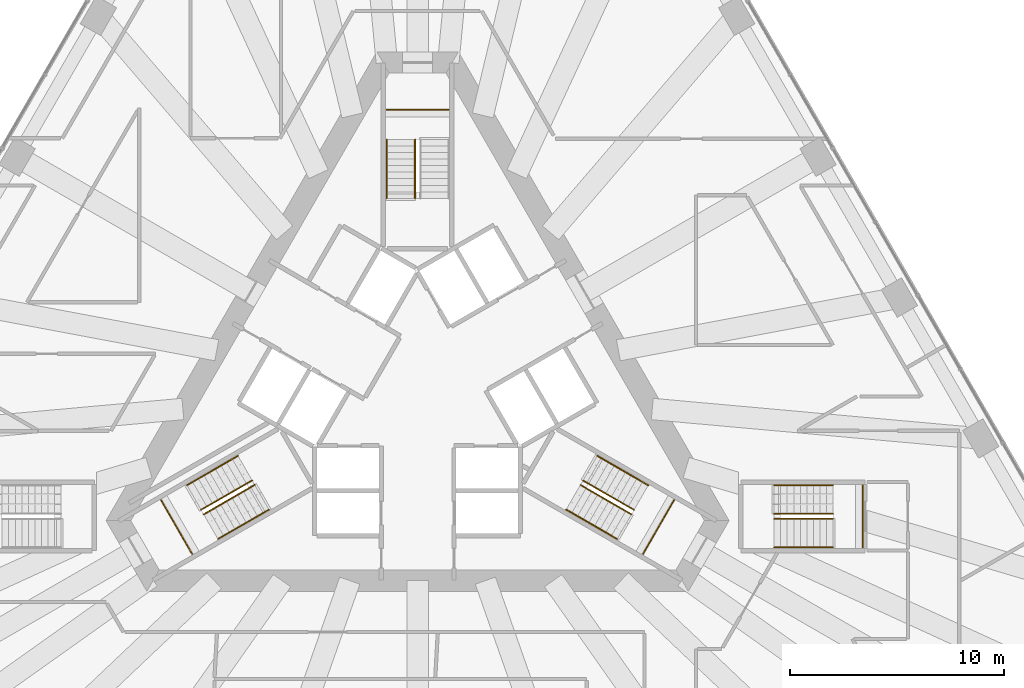
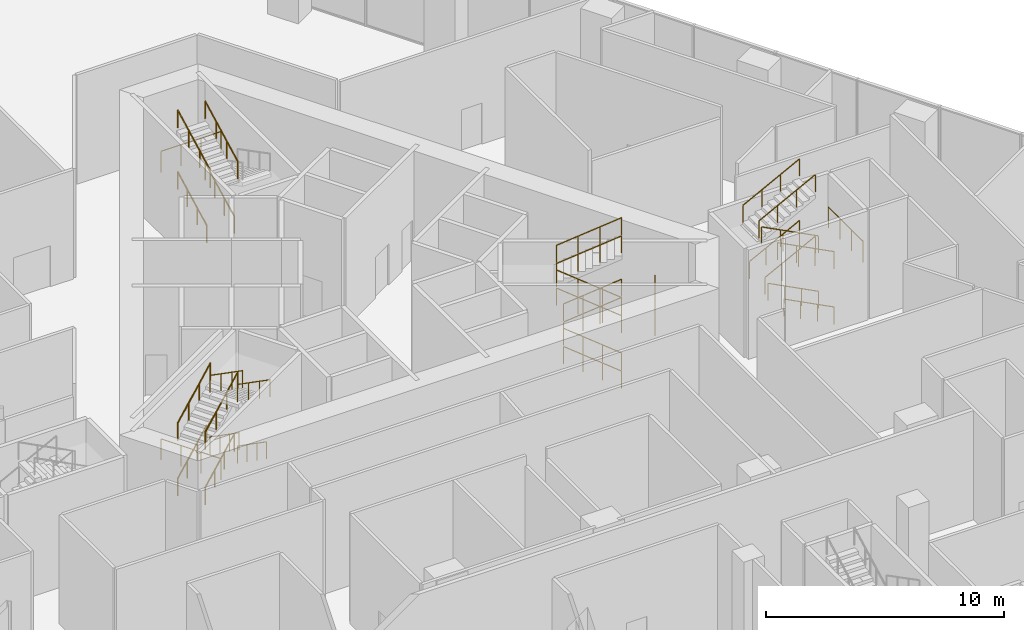
# One storey, part 35 of 36: 32 railings, 4 elements without a shape of their own.
"""IFC4 building model written with IfcOpenShell, lengths in metres."""

from ifc_helpers import new_model, si_unit, direction, frame, origin, origin_2d, place, context, subcontext, project, spatial, circle, extrude, material, type_object, element, aggregate, save


model = new_model("IFC4")

# Units and contexts
model_context = context("Model", 3, precision=1e-05, world=origin(), true_north=direction((0.0, 1.0)))
body_context = subcontext(model_context, "Body", "Model", "MODEL_VIEW")
ifc_project = project(units=[si_unit("LENGTHUNIT", "METRE"), si_unit("AREAUNIT", "SQUARE_METRE"), si_unit("VOLUMEUNIT", "CUBIC_METRE"), si_unit("PLANEANGLEUNIT", "RADIAN"), si_unit("MASSUNIT", "GRAM", prefix="KILO")], contexts=[model_context])

# Site, building, storey
site_placement = place(None, origin())
site = spatial("IfcSite", under=ifc_project, at=site_placement, CompositionType="ELEMENT")
building_placement = place(site_placement, origin())
building = spatial("IfcBuilding", under=site, at=building_placement, Name="Triada Interchange Tower", CompositionType="ELEMENT")
storey_placement = place(building_placement, frame((0.0, 0.0, 8.5)))
storey = spatial("IfcBuildingStorey", under=building, at=storey_placement, Name="L01", CompositionType="ELEMENT", Elevation=8.5)

# Stair, railing
ifc_material_1 = material(Name="Concrete C35/45", Category="concrete")
stair_type = type_object("IfcStairType", Name="HALF TURN STAIR 1400", PredefinedType="HALF_TURN_STAIR", material=ifc_material_1)
stair_1_placement = place(storey_placement, origin())
stair_1 = element("IfcStair", 1, at=stair_1_placement, inside=storey, type_object=stair_type, Name="Exit stair S01-1", PredefinedType="HALF_TURN_STAIR")
ifc_material_2 = material(Name="Stainless steel 1.4301", Category="steel")
railing_type_1 = type_object("IfcRailingType", Name="STAIR GUARD 1100", PredefinedType="GUARDRAIL", material=ifc_material_2)
railing_1_placement = place(storey_placement, frame((1.449951171875, 13.0, 2.842041015625)))
railing_1 = element("IfcRailing", 2, at=railing_1_placement, type_object=railing_type_1, Name="Guard S01-1 1", PredefinedType="GUARDRAIL", context=body_context, shape_type="SweptSolid", body=[
    extrude(circle(Radius=0.02392578125, at=origin_2d()), frame((0.0, 0.0, 1.076171875), z_axis=(-1.0, 0.0, 0.0), x_axis=(0.0, -1.0, 0.0)), (0.0, 0.0, 1.0), 2.89990234375),
    extrude(circle(Radius=0.02099609375, at=origin_2d()), origin(), (0.0, 0.0, 1.0), 1.052001953125),
    extrude(circle(Radius=0.02099609375, at=origin_2d()), frame((-0.966552734375, 0.0, 0.0)), (0.0, 0.0, 1.0), 1.052001953125),
    extrude(circle(Radius=0.02099609375, at=origin_2d()), frame((-1.933349609375, 0.0, 0.0)), (0.0, 0.0, 1.0), 1.052001953125),
    extrude(circle(Radius=0.02099609375, at=origin_2d()), frame((-2.89990234375, 0.0, 0.0)), (0.0, 0.0, 1.0), 1.052001953125),
])

stair_2_placement = place(storey_placement, origin())
stair_2 = element("IfcStair", 3, at=stair_2_placement, inside=storey, type_object=stair_type, Name="Exit stair S01-2", PredefinedType="HALF_TURN_STAIR")
railing_2_placement = place(storey_placement, frame((-11.98291015625, -5.243896484375, 2.842041015625)))
railing_2 = element("IfcRailing", 4, at=railing_2_placement, type_object=railing_type_1, Name="Guard S01-2 1", PredefinedType="GUARDRAIL", context=body_context, shape_type="SweptSolid", body=[
    extrude(circle(Radius=0.02392578125, at=origin_2d()), frame((0.0, 0.0, 1.076171875), z_axis=(0.499877891294, -0.866095891802, 0.0), x_axis=(0.866095891802, 0.499877891294, 0.0)), (0.0, 0.0, 1.0), 2.900634765625),
    extrude(circle(Radius=0.02099609375, at=origin_2d()), origin(), (0.0, 0.0, 1.0), 1.052001953125),
    extrude(circle(Radius=0.02099609375, at=origin_2d()), frame((0.4833984375, -0.83740234375, 0.0)), (0.0, 0.0, 1.0), 1.052001953125),
    extrude(circle(Radius=0.02099609375, at=origin_2d()), frame((0.966552734375, -1.6748046875, 0.0)), (0.0, 0.0, 1.0), 1.052001953125),
    extrude(circle(Radius=0.02099609375, at=origin_2d()), frame((1.449951171875, -2.51220703125, 0.0)), (0.0, 0.0, 1.0), 1.052001953125),
])

stair_3_placement = place(storey_placement, origin())
stair_3 = element("IfcStair", 5, at=stair_3_placement, inside=storey, type_object=stair_type, Name="Exit stair S01-3", PredefinedType="HALF_TURN_STAIR")
railing_3_placement = place(storey_placement, frame((10.532958984375, -7.756103515625, 2.842041015625)))
railing_3 = element("IfcRailing", 6, at=railing_3_placement, type_object=railing_type_1, Name="Guard S01-3 1", PredefinedType="GUARDRAIL", context=body_context, shape_type="SweptSolid", body=[
    extrude(circle(Radius=0.02392578125, at=origin_2d()), frame((0.0, 0.0, 1.076171875), z_axis=(0.499877891294, 0.866095891802, 0.0), x_axis=(-0.866095891802, 0.499877891294, 0.0)), (0.0, 0.0, 1.0), 2.900634765625),
    extrude(circle(Radius=0.02099609375, at=origin_2d()), origin(), (0.0, 0.0, 1.0), 1.052001953125),
    extrude(circle(Radius=0.02099609375, at=origin_2d()), frame((0.4833984375, 0.83740234375, 0.0)), (0.0, 0.0, 1.0), 1.052001953125),
    extrude(circle(Radius=0.02099609375, at=origin_2d()), frame((0.966552734375, 1.6748046875, 0.0)), (0.0, 0.0, 1.0), 1.052001953125),
    extrude(circle(Radius=0.02099609375, at=origin_2d()), frame((1.449951171875, 2.51220703125, 0.0)), (0.0, 0.0, 1.0), 1.052001953125),
])

stair_4_placement = place(storey_placement, origin())
stair_4 = element("IfcStair", 7, at=stair_4_placement, inside=storey, type_object=stair_type, Name="Exit stair S01-7", PredefinedType="HALF_TURN_STAIR")
railing_4_placement = place(storey_placement, frame((20.800048828125, -7.449951171875, 2.842041015625)))
railing_4 = element("IfcRailing", 8, at=railing_4_placement, type_object=railing_type_1, Name="Guard S01-7 1", PredefinedType="GUARDRAIL", context=body_context, shape_type="SweptSolid", body=[
    extrude(circle(Radius=0.02392578125, at=origin_2d()), frame((0.0, 0.0, 1.076171875), z_axis=(0.0, 1.0, 0.0), x_axis=(-1.0, 0.0, 0.0)), (0.0, 0.0, 1.0), 2.89990234375),
    extrude(circle(Radius=0.02099609375, at=origin_2d()), origin(), (0.0, 0.0, 1.0), 1.052001953125),
    extrude(circle(Radius=0.02099609375, at=origin_2d()), frame((0.0, 0.966552734375, 0.0)), (0.0, 0.0, 1.0), 1.052001953125),
    extrude(circle(Radius=0.02099609375, at=origin_2d()), frame((0.0, 1.933349609375, 0.0)), (0.0, 0.0, 1.0), 1.052001953125),
    extrude(circle(Radius=0.02099609375, at=origin_2d()), frame((0.0, 2.89990234375, 0.0)), (0.0, 0.0, 1.0), 1.052001953125),
])

# Railing
railing_type_2 = type_object("IfcRailingType", Name="STAIR HANDRAIL 900", PredefinedType="HANDRAIL", material=ifc_material_2)
railing_5_placement = place(storey_placement, frame((-1.449951171875, 9.159912109375, 1.578857421875)))
railing_5 = element("IfcRailing", 9, at=railing_5_placement, type_object=railing_type_2, Name="Handrail S01-1 2W", PredefinedType="HANDRAIL", context=body_context, shape_type="SweptSolid", body=[
    extrude(circle(Radius=0.02392578125, at=origin_2d()), frame((0.0, 0.0, 0.8759765625), z_axis=(0.0, 0.888066314826, 0.459715368975), x_axis=(-1.0, 0.0, 0.0)), (0.0, 0.0, 1.0), 2.747802734375),
    extrude(circle(Radius=0.02099609375, at=origin_2d()), origin(), (0.0, 0.0, 1.0), 0.851806640625),
    extrude(circle(Radius=0.02099609375, at=origin_2d()), frame((0.0, 0.8134765625, 0.421142578125)), (0.0, 0.0, 1.0), 0.851806640625),
    extrude(circle(Radius=0.02099609375, at=origin_2d()), frame((0.0, 1.626708984375, 0.842041015625)), (0.0, 0.0, 1.0), 0.851806640625),
    extrude(circle(Radius=0.02099609375, at=origin_2d()), frame((0.0, 2.440185546875, 1.26318359375)), (0.0, 0.0, 1.0), 0.851806640625),
])

railing_6_placement = place(storey_placement, frame((-0.1201171875, 9.159912109375, 1.578857421875)))
railing_6 = element("IfcRailing", 10, at=railing_6_placement, type_object=railing_type_2, Name="Handrail S01-1 2C", PredefinedType="HANDRAIL", context=body_context, shape_type="SweptSolid", body=[
    extrude(circle(Radius=0.02392578125, at=origin_2d()), frame((0.0, 0.0, 0.8759765625), z_axis=(0.0, 0.888066314826, 0.459715368975), x_axis=(-1.0, 0.0, 0.0)), (0.0, 0.0, 1.0), 2.747802734375),
    extrude(circle(Radius=0.02099609375, at=origin_2d()), origin(), (0.0, 0.0, 1.0), 0.851806640625),
    extrude(circle(Radius=0.02099609375, at=origin_2d()), frame((0.0, 0.8134765625, 0.421142578125)), (0.0, 0.0, 1.0), 0.851806640625),
    extrude(circle(Radius=0.02099609375, at=origin_2d()), frame((0.0, 1.626708984375, 0.842041015625)), (0.0, 0.0, 1.0), 0.851806640625),
    extrude(circle(Radius=0.02099609375, at=origin_2d()), frame((0.0, 2.440185546875, 1.26318359375)), (0.0, 0.0, 1.0), 0.851806640625),
])

railing_7_placement = place(storey_placement, frame((-1.449951171875, 8.85498046875, 4.578857421875)))
railing_7 = element("IfcRailing", 11, at=railing_7_placement, type_object=railing_type_2, Name="Handrail S01-1 4W", PredefinedType="HANDRAIL", context=body_context, shape_type="SweptSolid", body=[
    extrude(circle(Radius=0.02392578125, at=origin_2d()), frame((0.0, 0.0, 0.8759765625), z_axis=(0.0, 0.888084238656, 0.459680742527), x_axis=(-1.0, 0.0, 0.0)), (0.0, 0.0, 1.0), 3.091064453125),
    extrude(circle(Radius=0.02099609375, at=origin_2d()), origin(), (0.0, 0.0, 1.0), 0.851806640625),
    extrude(circle(Radius=0.02099609375, at=origin_2d()), frame((0.0, 0.9150390625, 0.4736328125)), (0.0, 0.0, 1.0), 0.851806640625),
    extrude(circle(Radius=0.02099609375, at=origin_2d()), frame((0.0, 1.830078125, 0.947265625)), (0.0, 0.0, 1.0), 0.851806640625),
    extrude(circle(Radius=0.02099609375, at=origin_2d()), frame((0.0, 2.7451171875, 1.4208984375)), (0.0, 0.0, 1.0), 0.851806640625),
])

railing_8_placement = place(storey_placement, frame((-0.1201171875, 8.85498046875, 4.578857421875)))
railing_8 = element("IfcRailing", 12, at=railing_8_placement, type_object=railing_type_2, Name="Handrail S01-1 4C", PredefinedType="HANDRAIL", context=body_context, shape_type="SweptSolid", body=[
    extrude(circle(Radius=0.02392578125, at=origin_2d()), frame((0.0, 0.0, 0.8759765625), z_axis=(0.0, 0.888084238656, 0.459680742527), x_axis=(-1.0, 0.0, 0.0)), (0.0, 0.0, 1.0), 3.091064453125),
    extrude(circle(Radius=0.02099609375, at=origin_2d()), origin(), (0.0, 0.0, 1.0), 0.851806640625),
    extrude(circle(Radius=0.02099609375, at=origin_2d()), frame((0.0, 0.9150390625, 0.4736328125)), (0.0, 0.0, 1.0), 0.851806640625),
    extrude(circle(Radius=0.02099609375, at=origin_2d()), frame((0.0, 1.830078125, 0.947265625)), (0.0, 0.0, 1.0), 0.851806640625),
    extrude(circle(Radius=0.02099609375, at=origin_2d()), frame((0.0, 2.7451171875, 1.4208984375)), (0.0, 0.0, 1.0), 0.851806640625),
])

aggregate(stair_1, [railing_5, railing_6, railing_7, railing_8, railing_1])

railing_9_placement = place(storey_placement, frame((-10.77099609375, -4.5439453125, 0.157958984375)))
railing_9 = element("IfcRailing", 13, at=railing_9_placement, type_object=railing_type_2, Name="Handrail S01-2 1W", PredefinedType="HANDRAIL", context=body_context, shape_type="SweptSolid", body=[
    extrude(circle(Radius=0.02392578125, at=origin_2d()), frame((0.0, 0.0, 0.8759765625), z_axis=(0.769101041409, 0.444043663076, 0.459683383848), x_axis=(-0.500002508028, 0.866023955769, 0.0)), (0.0, 0.0, 1.0), 2.747314453125),
    extrude(circle(Radius=0.02099609375, at=origin_2d()), origin(), (0.0, 0.0, 1.0), 0.851806640625),
    extrude(circle(Radius=0.02099609375, at=origin_2d()), frame((0.704345703125, 0.40673828125, 0.4208984375)), (0.0, 0.0, 1.0), 0.851806640625),
    extrude(circle(Radius=0.02099609375, at=origin_2d()), frame((1.40869140625, 0.813232421875, 0.842041015625)), (0.0, 0.0, 1.0), 0.851806640625),
    extrude(circle(Radius=0.02099609375, at=origin_2d()), frame((2.113037109375, 1.219970703125, 1.262939453125)), (0.0, 0.0, 1.0), 0.851806640625),
])

railing_10_placement = place(storey_placement, frame((-10.10595703125, -5.696044921875, 0.157958984375)))
railing_10 = element("IfcRailing", 14, at=railing_10_placement, type_object=railing_type_2, Name="Handrail S01-2 1C", PredefinedType="HANDRAIL", context=body_context, shape_type="SweptSolid", body=[
    extrude(circle(Radius=0.02392578125, at=origin_2d()), frame((0.0, 0.0, 0.8759765625), z_axis=(0.769101041409, 0.444043663076, 0.459683383848), x_axis=(-0.500002508028, 0.866023955769, 0.0)), (0.0, 0.0, 1.0), 2.747314453125),
    extrude(circle(Radius=0.02099609375, at=origin_2d()), origin(), (0.0, 0.0, 1.0), 0.851806640625),
    extrude(circle(Radius=0.02099609375, at=origin_2d()), frame((0.704345703125, 0.40673828125, 0.4208984375)), (0.0, 0.0, 1.0), 0.851806640625),
    extrude(circle(Radius=0.02099609375, at=origin_2d()), frame((1.40869140625, 0.813232421875, 0.842041015625)), (0.0, 0.0, 1.0), 0.851806640625),
    extrude(circle(Radius=0.02099609375, at=origin_2d()), frame((2.113037109375, 1.219970703125, 1.262939453125)), (0.0, 0.0, 1.0), 0.851806640625),
])

railing_11_placement = place(storey_placement, frame((-7.2080078125, -5.8359375, 1.578857421875)))
railing_11 = element("IfcRailing", 15, at=railing_11_placement, type_object=railing_type_2, Name="Handrail S01-2 2W", PredefinedType="HANDRAIL", context=body_context, shape_type="SweptSolid", body=[
    extrude(circle(Radius=0.02392578125, at=origin_2d()), frame((0.0, 0.0, 0.8759765625), z_axis=(-0.769069623744, -0.444025523957, 0.45975346427), x_axis=(0.500002508028, -0.866023955769, 0.0)), (0.0, 0.0, 1.0), 2.74755859375),
    extrude(circle(Radius=0.02099609375, at=origin_2d()), origin(), (0.0, 0.0, 1.0), 0.851806640625),
    extrude(circle(Radius=0.02099609375, at=origin_2d()), frame((-0.704345703125, -0.40673828125, 0.421142578125)), (0.0, 0.0, 1.0), 0.851806640625),
    extrude(circle(Radius=0.02099609375, at=origin_2d()), frame((-1.40869140625, -0.813232421875, 0.842041015625)), (0.0, 0.0, 1.0), 0.851806640625),
    extrude(circle(Radius=0.02099609375, at=origin_2d()), frame((-2.113037109375, -1.219970703125, 1.26318359375)), (0.0, 0.0, 1.0), 0.851806640625),
])

railing_12_placement = place(storey_placement, frame((-7.873046875, -4.68408203125, 1.578857421875)))
railing_12 = element("IfcRailing", 16, at=railing_12_placement, type_object=railing_type_2, Name="Handrail S01-2 2C", PredefinedType="HANDRAIL", context=body_context, shape_type="SweptSolid", body=[
    extrude(circle(Radius=0.02392578125, at=origin_2d()), frame((0.0, 0.0, 0.8759765625), z_axis=(-0.769069623744, -0.444025523957, 0.45975346427), x_axis=(0.500002508028, -0.866023955769, 0.0)), (0.0, 0.0, 1.0), 2.74755859375),
    extrude(circle(Radius=0.02099609375, at=origin_2d()), origin(), (0.0, 0.0, 1.0), 0.851806640625),
    extrude(circle(Radius=0.02099609375, at=origin_2d()), frame((-0.704345703125, -0.40673828125, 0.421142578125)), (0.0, 0.0, 1.0), 0.851806640625),
    extrude(circle(Radius=0.02099609375, at=origin_2d()), frame((-1.40869140625, -0.813232421875, 0.842041015625)), (0.0, 0.0, 1.0), 0.851806640625),
    extrude(circle(Radius=0.02099609375, at=origin_2d()), frame((-2.113037109375, -1.219970703125, 1.26318359375)), (0.0, 0.0, 1.0), 0.851806640625),
])

railing_13_placement = place(storey_placement, frame((-10.77099609375, -4.5439453125, 3.0)))
railing_13 = element("IfcRailing", 17, at=railing_13_placement, type_object=railing_type_2, Name="Handrail S01-2 3W", PredefinedType="HANDRAIL", context=body_context, shape_type="SweptSolid", body=[
    extrude(circle(Radius=0.02392578125, at=origin_2d()), frame((0.0, 0.0, 0.8759765625), z_axis=(0.769133140326, 0.443894732487, 0.459773508288), x_axis=(-0.49986106923, 0.866105600645, 0.0)), (0.0, 0.0, 1.0), 3.09033203125),
    extrude(circle(Radius=0.02099609375, at=origin_2d()), origin(), (0.0, 0.0, 1.0), 0.851806640625),
    extrude(circle(Radius=0.02099609375, at=origin_2d()), frame((0.792236328125, 0.457275390625, 0.4736328125)), (0.0, 0.0, 1.0), 0.851806640625),
    extrude(circle(Radius=0.02099609375, at=origin_2d()), frame((1.584716796875, 0.91455078125, 0.947265625)), (0.0, 0.0, 1.0), 0.851806640625),
    extrude(circle(Radius=0.02099609375, at=origin_2d()), frame((2.376953125, 1.371826171875, 1.4208984375)), (0.0, 0.0, 1.0), 0.851806640625),
])

railing_14_placement = place(storey_placement, frame((-10.10595703125, -5.696044921875, 3.0)))
railing_14 = element("IfcRailing", 18, at=railing_14_placement, type_object=railing_type_2, Name="Handrail S01-2 3C", PredefinedType="HANDRAIL", context=body_context, shape_type="SweptSolid", body=[
    extrude(circle(Radius=0.02392578125, at=origin_2d()), frame((0.0, 0.0, 0.8759765625), z_axis=(0.768998259129, 0.444211812792, 0.459692878814), x_axis=(-0.500194616298, 0.865913012852, 0.0)), (0.0, 0.0, 1.0), 3.091064453125),
    extrude(circle(Radius=0.02099609375, at=origin_2d()), origin(), (0.0, 0.0, 1.0), 0.851806640625),
    extrude(circle(Radius=0.02099609375, at=origin_2d()), frame((0.792236328125, 0.457763671875, 0.4736328125)), (0.0, 0.0, 1.0), 0.851806640625),
    extrude(circle(Radius=0.02099609375, at=origin_2d()), frame((1.584716796875, 0.915283203125, 0.947265625)), (0.0, 0.0, 1.0), 0.851806640625),
    extrude(circle(Radius=0.02099609375, at=origin_2d()), frame((2.376953125, 1.373046875, 1.4208984375)), (0.0, 0.0, 1.0), 0.851806640625),
])

railing_15_placement = place(storey_placement, frame((-6.944091796875, -5.68310546875, 4.578857421875)))
railing_15 = element("IfcRailing", 19, at=railing_15_placement, type_object=railing_type_2, Name="Handrail S01-2 4W", PredefinedType="HANDRAIL", context=body_context, shape_type="SweptSolid", body=[
    extrude(circle(Radius=0.02392578125, at=origin_2d()), frame((0.0, 0.0, 0.8759765625), z_axis=(-0.769133140326, -0.443894732487, 0.459773508288), x_axis=(0.49986106923, -0.866105600645, 0.0)), (0.0, 0.0, 1.0), 3.09033203125),
    extrude(circle(Radius=0.02099609375, at=origin_2d()), origin(), (0.0, 0.0, 1.0), 0.851806640625),
    extrude(circle(Radius=0.02099609375, at=origin_2d()), frame((-0.792236328125, -0.457275390625, 0.4736328125)), (0.0, 0.0, 1.0), 0.851806640625),
    extrude(circle(Radius=0.02099609375, at=origin_2d()), frame((-1.584716796875, -0.91455078125, 0.947265625)), (0.0, 0.0, 1.0), 0.851806640625),
    extrude(circle(Radius=0.02099609375, at=origin_2d()), frame((-2.376953125, -1.371826171875, 1.4208984375)), (0.0, 0.0, 1.0), 0.851806640625),
])

railing_16_placement = place(storey_placement, frame((-7.60888671875, -4.531005859375, 4.578857421875)))
railing_16 = element("IfcRailing", 20, at=railing_16_placement, type_object=railing_type_2, Name="Handrail S01-2 4C", PredefinedType="HANDRAIL", context=body_context, shape_type="SweptSolid", body=[
    extrude(circle(Radius=0.02392578125, at=origin_2d()), frame((0.0, 0.0, 0.8759765625), z_axis=(-0.769030532764, -0.444184832727, 0.459664958477), x_axis=(0.500156096934, -0.865935262419, 0.0)), (0.0, 0.0, 1.0), 3.091064453125),
    extrude(circle(Radius=0.02099609375, at=origin_2d()), origin(), (0.0, 0.0, 1.0), 0.851806640625),
    extrude(circle(Radius=0.02099609375, at=origin_2d()), frame((-0.79248046875, -0.457763671875, 0.4736328125)), (0.0, 0.0, 1.0), 0.851806640625),
    extrude(circle(Radius=0.02099609375, at=origin_2d()), frame((-1.584716796875, -0.915283203125, 0.947265625)), (0.0, 0.0, 1.0), 0.851806640625),
    extrude(circle(Radius=0.02099609375, at=origin_2d()), frame((-2.377197265625, -1.373046875, 1.4208984375)), (0.0, 0.0, 1.0), 0.851806640625),
])

aggregate(stair_2, [railing_9, railing_10, railing_11, railing_12, railing_13, railing_14, railing_15, railing_16, railing_2])

railing_17_placement = place(storey_placement, frame((9.321044921875, -7.055908203125, 0.157958984375)))
railing_17 = element("IfcRailing", 21, at=railing_17_placement, type_object=railing_type_2, Name="Handrail S01-3 1W", PredefinedType="HANDRAIL", context=body_context, shape_type="SweptSolid", body=[
    extrude(circle(Radius=0.02392578125, at=origin_2d()), frame((0.0, 0.0, 0.8759765625), z_axis=(-0.769101041409, 0.444043663076, 0.459683383848), x_axis=(-0.500002508028, -0.866023955769, 0.0)), (0.0, 0.0, 1.0), 2.747314453125),
    extrude(circle(Radius=0.02099609375, at=origin_2d()), origin(), (0.0, 0.0, 1.0), 0.851806640625),
    extrude(circle(Radius=0.02099609375, at=origin_2d()), frame((-0.704345703125, 0.40673828125, 0.4208984375)), (0.0, 0.0, 1.0), 0.851806640625),
    extrude(circle(Radius=0.02099609375, at=origin_2d()), frame((-1.40869140625, 0.813232421875, 0.842041015625)), (0.0, 0.0, 1.0), 0.851806640625),
    extrude(circle(Radius=0.02099609375, at=origin_2d()), frame((-2.113037109375, 1.219970703125, 1.262939453125)), (0.0, 0.0, 1.0), 0.851806640625),
])

railing_18_placement = place(storey_placement, frame((9.986083984375, -5.904052734375, 0.157958984375)))
railing_18 = element("IfcRailing", 22, at=railing_18_placement, type_object=railing_type_2, Name="Handrail S01-3 1C", PredefinedType="HANDRAIL", context=body_context, shape_type="SweptSolid", body=[
    extrude(circle(Radius=0.02392578125, at=origin_2d()), frame((0.0, 0.0, 0.8759765625), z_axis=(-0.769101041409, 0.444043663076, 0.459683383848), x_axis=(-0.500002508028, -0.866023955769, 0.0)), (0.0, 0.0, 1.0), 2.747314453125),
    extrude(circle(Radius=0.02099609375, at=origin_2d()), origin(), (0.0, 0.0, 1.0), 0.851806640625),
    extrude(circle(Radius=0.02099609375, at=origin_2d()), frame((-0.704345703125, 0.40673828125, 0.4208984375)), (0.0, 0.0, 1.0), 0.851806640625),
    extrude(circle(Radius=0.02099609375, at=origin_2d()), frame((-1.40869140625, 0.813232421875, 0.842041015625)), (0.0, 0.0, 1.0), 0.851806640625),
    extrude(circle(Radius=0.02099609375, at=origin_2d()), frame((-2.113037109375, 1.219970703125, 1.262939453125)), (0.0, 0.0, 1.0), 0.851806640625),
])

railing_19_placement = place(storey_placement, frame((8.657958984375, -3.323974609375, 1.578857421875)))
railing_19 = element("IfcRailing", 23, at=railing_19_placement, type_object=railing_type_2, Name="Handrail S01-3 2W", PredefinedType="HANDRAIL", context=body_context, shape_type="SweptSolid", body=[
    extrude(circle(Radius=0.02392578125, at=origin_2d()), frame((0.0, 0.0, 0.8759765625), z_axis=(0.769069623744, -0.444025523957, 0.45975346427), x_axis=(0.500002508028, 0.866023955769, 0.0)), (0.0, 0.0, 1.0), 2.74755859375),
    extrude(circle(Radius=0.02099609375, at=origin_2d()), origin(), (0.0, 0.0, 1.0), 0.851806640625),
    extrude(circle(Radius=0.02099609375, at=origin_2d()), frame((0.704345703125, -0.40673828125, 0.421142578125)), (0.0, 0.0, 1.0), 0.851806640625),
    extrude(circle(Radius=0.02099609375, at=origin_2d()), frame((1.40869140625, -0.813232421875, 0.842041015625)), (0.0, 0.0, 1.0), 0.851806640625),
    extrude(circle(Radius=0.02099609375, at=origin_2d()), frame((2.113037109375, -1.219970703125, 1.26318359375)), (0.0, 0.0, 1.0), 0.851806640625),
])

railing_20_placement = place(storey_placement, frame((7.992919921875, -4.47607421875, 1.578857421875)))
railing_20 = element("IfcRailing", 24, at=railing_20_placement, type_object=railing_type_2, Name="Handrail S01-3 2C", PredefinedType="HANDRAIL", context=body_context, shape_type="SweptSolid", body=[
    extrude(circle(Radius=0.02392578125, at=origin_2d()), frame((0.0, 0.0, 0.8759765625), z_axis=(0.769069623744, -0.444025523957, 0.45975346427), x_axis=(0.500002508028, 0.866023955769, 0.0)), (0.0, 0.0, 1.0), 2.74755859375),
    extrude(circle(Radius=0.02099609375, at=origin_2d()), origin(), (0.0, 0.0, 1.0), 0.851806640625),
    extrude(circle(Radius=0.02099609375, at=origin_2d()), frame((0.704345703125, -0.40673828125, 0.421142578125)), (0.0, 0.0, 1.0), 0.851806640625),
    extrude(circle(Radius=0.02099609375, at=origin_2d()), frame((1.40869140625, -0.813232421875, 0.842041015625)), (0.0, 0.0, 1.0), 0.851806640625),
    extrude(circle(Radius=0.02099609375, at=origin_2d()), frame((2.113037109375, -1.219970703125, 1.26318359375)), (0.0, 0.0, 1.0), 0.851806640625),
])

railing_21_placement = place(storey_placement, frame((9.321044921875, -7.055908203125, 3.0)))
railing_21 = element("IfcRailing", 25, at=railing_21_placement, type_object=railing_type_2, Name="Handrail S01-3 3W", PredefinedType="HANDRAIL", context=body_context, shape_type="SweptSolid", body=[
    extrude(circle(Radius=0.02392578125, at=origin_2d()), frame((0.0, 0.0, 0.8759765625), z_axis=(-0.769025239288, 0.444148410077, 0.459709007052), x_axis=(-0.500127924686, -0.865951533834, 0.0)), (0.0, 0.0, 1.0), 3.0908203125),
    extrude(circle(Radius=0.02099609375, at=origin_2d()), origin(), (0.0, 0.0, 1.0), 0.851806640625),
    extrude(circle(Radius=0.02099609375, at=origin_2d()), frame((-0.792236328125, 0.45751953125, 0.4736328125)), (0.0, 0.0, 1.0), 0.851806640625),
    extrude(circle(Radius=0.02099609375, at=origin_2d()), frame((-1.584716796875, 0.915283203125, 0.947265625)), (0.0, 0.0, 1.0), 0.851806640625),
    extrude(circle(Radius=0.02099609375, at=origin_2d()), frame((-2.376953125, 1.372802734375, 1.4208984375)), (0.0, 0.0, 1.0), 0.851806640625),
])

railing_22_placement = place(storey_placement, frame((9.986083984375, -5.904052734375, 3.0)))
railing_22 = element("IfcRailing", 26, at=railing_22_placement, type_object=railing_type_2, Name="Handrail S01-3 3C", PredefinedType="HANDRAIL", context=body_context, shape_type="SweptSolid", body=[
    extrude(circle(Radius=0.02392578125, at=origin_2d()), frame((0.0, 0.0, 0.8759765625), z_axis=(-0.76913843306, 0.443931189668, 0.459729452646), x_axis=(-0.499889283929, -0.866089316302, 0.0)), (0.0, 0.0, 1.0), 3.0908203125),
    extrude(circle(Radius=0.02099609375, at=origin_2d()), origin(), (0.0, 0.0, 1.0), 0.851806640625),
    extrude(circle(Radius=0.02099609375, at=origin_2d()), frame((-0.79248046875, 0.457275390625, 0.4736328125)), (0.0, 0.0, 1.0), 0.851806640625),
    extrude(circle(Radius=0.02099609375, at=origin_2d()), frame((-1.584716796875, 0.914794921875, 0.947265625)), (0.0, 0.0, 1.0), 0.851806640625),
    extrude(circle(Radius=0.02099609375, at=origin_2d()), frame((-2.377197265625, 1.3720703125, 1.4208984375)), (0.0, 0.0, 1.0), 0.851806640625),
])

railing_23_placement = place(storey_placement, frame((8.39404296875, -3.172119140625, 4.578857421875)))
railing_23 = element("IfcRailing", 27, at=railing_23_placement, type_object=railing_type_2, Name="Handrail S01-3 4W", PredefinedType="HANDRAIL", context=body_context, shape_type="SweptSolid", body=[
    extrude(circle(Radius=0.02392578125, at=origin_2d()), frame((0.0, 0.0, 0.8759765625), z_axis=(0.769025239288, -0.444148410077, 0.459709007052), x_axis=(0.500127924686, 0.865951533834, 0.0)), (0.0, 0.0, 1.0), 3.0908203125),
    extrude(circle(Radius=0.02099609375, at=origin_2d()), origin(), (0.0, 0.0, 1.0), 0.851806640625),
    extrude(circle(Radius=0.02099609375, at=origin_2d()), frame((0.792236328125, -0.45751953125, 0.4736328125)), (0.0, 0.0, 1.0), 0.851806640625),
    extrude(circle(Radius=0.02099609375, at=origin_2d()), frame((1.584716796875, -0.915283203125, 0.947265625)), (0.0, 0.0, 1.0), 0.851806640625),
    extrude(circle(Radius=0.02099609375, at=origin_2d()), frame((2.376953125, -1.372802734375, 1.4208984375)), (0.0, 0.0, 1.0), 0.851806640625),
])

railing_24_placement = place(storey_placement, frame((7.72900390625, -4.323974609375, 4.578857421875)))
railing_24 = element("IfcRailing", 28, at=railing_24_placement, type_object=railing_type_2, Name="Handrail S01-3 4C", PredefinedType="HANDRAIL", context=body_context, shape_type="SweptSolid", body=[
    extrude(circle(Radius=0.02392578125, at=origin_2d()), frame((0.0, 0.0, 0.8759765625), z_axis=(0.769106168007, -0.443958161894, 0.459757384737), x_axis=(0.499927796446, 0.866067086513, 0.0)), (0.0, 0.0, 1.0), 3.090576171875),
    extrude(circle(Radius=0.02099609375, at=origin_2d()), origin(), (0.0, 0.0, 1.0), 0.851806640625),
    extrude(circle(Radius=0.02099609375, at=origin_2d()), frame((0.792236328125, -0.457275390625, 0.4736328125)), (0.0, 0.0, 1.0), 0.851806640625),
    extrude(circle(Radius=0.02099609375, at=origin_2d()), frame((1.584716796875, -0.914794921875, 0.947265625)), (0.0, 0.0, 1.0), 0.851806640625),
    extrude(circle(Radius=0.02099609375, at=origin_2d()), frame((2.376953125, -1.3720703125, 1.4208984375)), (0.0, 0.0, 1.0), 0.851806640625),
])

aggregate(stair_3, [railing_17, railing_18, railing_19, railing_20, railing_21, railing_22, railing_23, railing_24, railing_3])

railing_25_placement = place(storey_placement, frame((19.39990234375, -7.449951171875, 0.157958984375)))
railing_25 = element("IfcRailing", 29, at=railing_25_placement, type_object=railing_type_2, Name="Handrail S01-7 1W", PredefinedType="HANDRAIL", context=body_context, shape_type="SweptSolid", body=[
    extrude(circle(Radius=0.02392578125, at=origin_2d()), frame((0.0, 0.0, 0.8759765625), z_axis=(-0.888083812785, 0.0, 0.459681565293), x_axis=(0.0, -1.0, 0.0)), (0.0, 0.0, 1.0), 2.747314453125),
    extrude(circle(Radius=0.02099609375, at=origin_2d()), origin(), (0.0, 0.0, 1.0), 0.851806640625),
    extrude(circle(Radius=0.02099609375, at=origin_2d()), frame((-0.813232421875, 0.0, 0.4208984375)), (0.0, 0.0, 1.0), 0.851806640625),
    extrude(circle(Radius=0.02099609375, at=origin_2d()), frame((-1.626708984375, 0.0, 0.842041015625)), (0.0, 0.0, 1.0), 0.851806640625),
    extrude(circle(Radius=0.02099609375, at=origin_2d()), frame((-2.43994140625, 0.0, 1.262939453125)), (0.0, 0.0, 1.0), 0.851806640625),
])

railing_26_placement = place(storey_placement, frame((19.39990234375, -6.1201171875, 0.157958984375)))
railing_26 = element("IfcRailing", 30, at=railing_26_placement, type_object=railing_type_2, Name="Handrail S01-7 1C", PredefinedType="HANDRAIL", context=body_context, shape_type="SweptSolid", body=[
    extrude(circle(Radius=0.02392578125, at=origin_2d()), frame((0.0, 0.0, 0.8759765625), z_axis=(-0.888083812785, 0.0, 0.459681565293), x_axis=(0.0, -1.0, 0.0)), (0.0, 0.0, 1.0), 2.747314453125),
    extrude(circle(Radius=0.02099609375, at=origin_2d()), origin(), (0.0, 0.0, 1.0), 0.851806640625),
    extrude(circle(Radius=0.02099609375, at=origin_2d()), frame((-0.813232421875, 0.0, 0.4208984375)), (0.0, 0.0, 1.0), 0.851806640625),
    extrude(circle(Radius=0.02099609375, at=origin_2d()), frame((-1.626708984375, 0.0, 0.842041015625)), (0.0, 0.0, 1.0), 0.851806640625),
    extrude(circle(Radius=0.02099609375, at=origin_2d()), frame((-2.43994140625, 0.0, 1.262939453125)), (0.0, 0.0, 1.0), 0.851806640625),
])

railing_27_placement = place(storey_placement, frame((16.9599609375, -4.550048828125, 1.578857421875)))
railing_27 = element("IfcRailing", 31, at=railing_27_placement, type_object=railing_type_2, Name="Handrail S01-7 2W", PredefinedType="HANDRAIL", context=body_context, shape_type="SweptSolid", body=[
    extrude(circle(Radius=0.02392578125, at=origin_2d()), frame((0.0, 0.0, 0.8759765625), z_axis=(0.888047534979, 0.0, 0.459751645585), x_axis=(0.0, 1.0, 0.0)), (0.0, 0.0, 1.0), 2.74755859375),
    extrude(circle(Radius=0.02099609375, at=origin_2d()), origin(), (0.0, 0.0, 1.0), 0.851806640625),
    extrude(circle(Radius=0.02099609375, at=origin_2d()), frame((0.813232421875, 0.0, 0.421142578125)), (0.0, 0.0, 1.0), 0.851806640625),
    extrude(circle(Radius=0.02099609375, at=origin_2d()), frame((1.626708984375, 0.0, 0.842041015625)), (0.0, 0.0, 1.0), 0.851806640625),
    extrude(circle(Radius=0.02099609375, at=origin_2d()), frame((2.43994140625, 0.0, 1.26318359375)), (0.0, 0.0, 1.0), 0.851806640625),
])

railing_28_placement = place(storey_placement, frame((16.9599609375, -5.8798828125, 1.578857421875)))
railing_28 = element("IfcRailing", 32, at=railing_28_placement, type_object=railing_type_2, Name="Handrail S01-7 2C", PredefinedType="HANDRAIL", context=body_context, shape_type="SweptSolid", body=[
    extrude(circle(Radius=0.02392578125, at=origin_2d()), frame((0.0, 0.0, 0.8759765625), z_axis=(0.888047534979, 0.0, 0.459751645585), x_axis=(0.0, 1.0, 0.0)), (0.0, 0.0, 1.0), 2.74755859375),
    extrude(circle(Radius=0.02099609375, at=origin_2d()), origin(), (0.0, 0.0, 1.0), 0.851806640625),
    extrude(circle(Radius=0.02099609375, at=origin_2d()), frame((0.813232421875, 0.0, 0.421142578125)), (0.0, 0.0, 1.0), 0.851806640625),
    extrude(circle(Radius=0.02099609375, at=origin_2d()), frame((1.626708984375, 0.0, 0.842041015625)), (0.0, 0.0, 1.0), 0.851806640625),
    extrude(circle(Radius=0.02099609375, at=origin_2d()), frame((2.43994140625, 0.0, 1.26318359375)), (0.0, 0.0, 1.0), 0.851806640625),
])

railing_29_placement = place(storey_placement, frame((19.39990234375, -7.449951171875, 3.0)))
railing_29 = element("IfcRailing", 33, at=railing_29_placement, type_object=railing_type_2, Name="Handrail S01-7 3W", PredefinedType="HANDRAIL", context=body_context, shape_type="SweptSolid", body=[
    extrude(circle(Radius=0.02392578125, at=origin_2d()), frame((0.0, 0.0, 0.8759765625), z_axis=(-0.888067547299, 0.0, 0.459712988107), x_axis=(0.0, -1.0, 0.0)), (0.0, 0.0, 1.0), 3.0908203125),
    extrude(circle(Radius=0.02099609375, at=origin_2d()), origin(), (0.0, 0.0, 1.0), 0.851806640625),
    extrude(circle(Radius=0.02099609375, at=origin_2d()), frame((-0.9150390625, 0.0, 0.4736328125)), (0.0, 0.0, 1.0), 0.851806640625),
    extrude(circle(Radius=0.02099609375, at=origin_2d()), frame((-1.829833984375, 0.0, 0.947265625)), (0.0, 0.0, 1.0), 0.851806640625),
    extrude(circle(Radius=0.02099609375, at=origin_2d()), frame((-2.744873046875, 0.0, 1.4208984375)), (0.0, 0.0, 1.0), 0.851806640625),
])

railing_30_placement = place(storey_placement, frame((19.39990234375, -6.1201171875, 3.0)))
railing_30 = element("IfcRailing", 34, at=railing_30_placement, type_object=railing_type_2, Name="Handrail S01-7 3C", PredefinedType="HANDRAIL", context=body_context, shape_type="SweptSolid", body=[
    extrude(circle(Radius=0.02392578125, at=origin_2d()), frame((0.0, 0.0, 0.8759765625), z_axis=(-0.888067547299, 0.0, 0.459712988107), x_axis=(0.0, -1.0, 0.0)), (0.0, 0.0, 1.0), 3.0908203125),
    extrude(circle(Radius=0.02099609375, at=origin_2d()), origin(), (0.0, 0.0, 1.0), 0.851806640625),
    extrude(circle(Radius=0.02099609375, at=origin_2d()), frame((-0.9150390625, 0.0, 0.4736328125)), (0.0, 0.0, 1.0), 0.851806640625),
    extrude(circle(Radius=0.02099609375, at=origin_2d()), frame((-1.829833984375, 0.0, 0.947265625)), (0.0, 0.0, 1.0), 0.851806640625),
    extrude(circle(Radius=0.02099609375, at=origin_2d()), frame((-2.744873046875, 0.0, 1.4208984375)), (0.0, 0.0, 1.0), 0.851806640625),
])

railing_31_placement = place(storey_placement, frame((16.655029296875, -4.550048828125, 4.578857421875)))
railing_31 = element("IfcRailing", 35, at=railing_31_placement, type_object=railing_type_2, Name="Handrail S01-7 4W", PredefinedType="HANDRAIL", context=body_context, shape_type="SweptSolid", body=[
    extrude(circle(Radius=0.02392578125, at=origin_2d()), frame((0.0, 0.0, 0.8759765625), z_axis=(0.888067547299, 0.0, 0.459712988107), x_axis=(0.0, 1.0, 0.0)), (0.0, 0.0, 1.0), 3.0908203125),
    extrude(circle(Radius=0.02099609375, at=origin_2d()), origin(), (0.0, 0.0, 1.0), 0.851806640625),
    extrude(circle(Radius=0.02099609375, at=origin_2d()), frame((0.9150390625, 0.0, 0.4736328125)), (0.0, 0.0, 1.0), 0.851806640625),
    extrude(circle(Radius=0.02099609375, at=origin_2d()), frame((1.829833984375, 0.0, 0.947265625)), (0.0, 0.0, 1.0), 0.851806640625),
    extrude(circle(Radius=0.02099609375, at=origin_2d()), frame((2.744873046875, 0.0, 1.4208984375)), (0.0, 0.0, 1.0), 0.851806640625),
])

railing_32_placement = place(storey_placement, frame((16.655029296875, -5.8798828125, 4.578857421875)))
railing_32 = element("IfcRailing", 36, at=railing_32_placement, type_object=railing_type_2, Name="Handrail S01-7 4C", PredefinedType="HANDRAIL", context=body_context, shape_type="SweptSolid", body=[
    extrude(circle(Radius=0.02392578125, at=origin_2d()), frame((0.0, 0.0, 0.8759765625), z_axis=(0.888067547299, 0.0, 0.459712988107), x_axis=(0.0, 1.0, 0.0)), (0.0, 0.0, 1.0), 3.0908203125),
    extrude(circle(Radius=0.02099609375, at=origin_2d()), origin(), (0.0, 0.0, 1.0), 0.851806640625),
    extrude(circle(Radius=0.02099609375, at=origin_2d()), frame((0.9150390625, 0.0, 0.4736328125)), (0.0, 0.0, 1.0), 0.851806640625),
    extrude(circle(Radius=0.02099609375, at=origin_2d()), frame((1.829833984375, 0.0, 0.947265625)), (0.0, 0.0, 1.0), 0.851806640625),
    extrude(circle(Radius=0.02099609375, at=origin_2d()), frame((2.744873046875, 0.0, 1.4208984375)), (0.0, 0.0, 1.0), 0.851806640625),
])

aggregate(stair_4, [railing_25, railing_26, railing_27, railing_28, railing_29, railing_30, railing_31, railing_32, railing_4])

save(model, "model.ifc")
